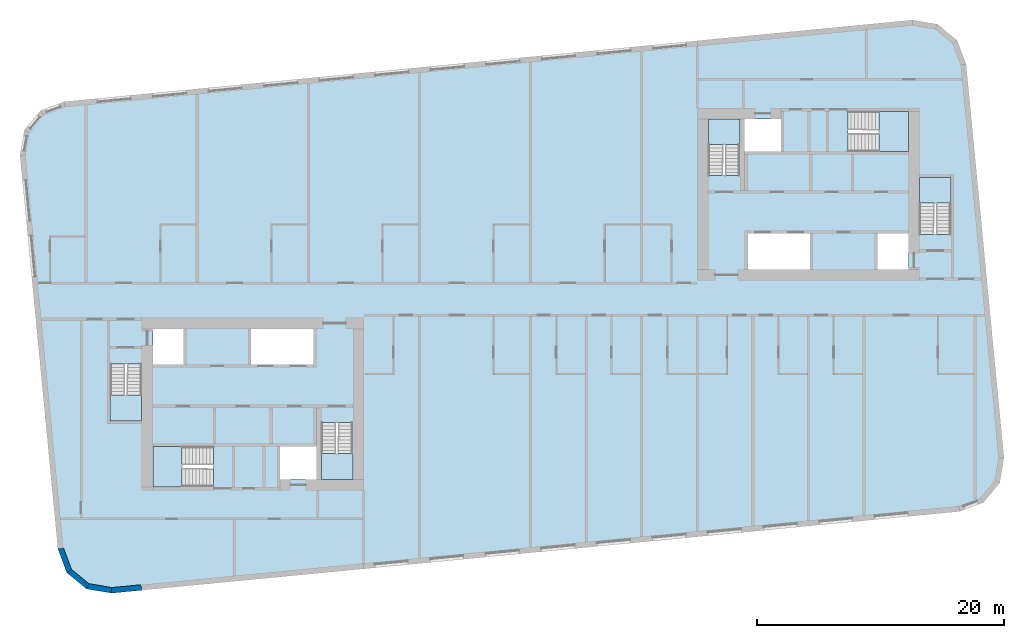
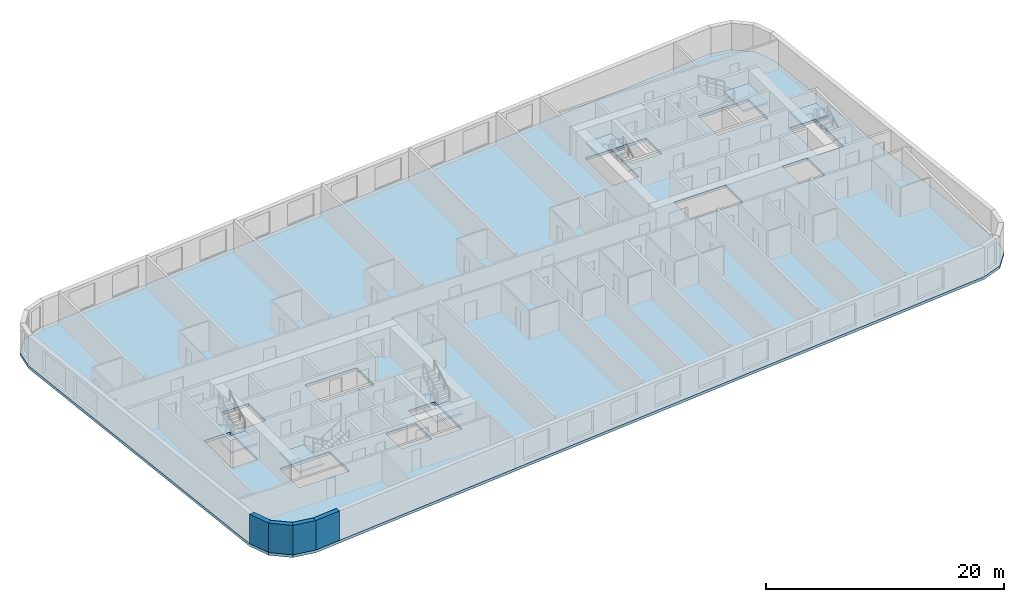
# One storey, part 1 of 11: 7 slabs, 4 walls, 6 elements without a shape of their own.
"""IFC4 building model written with IfcOpenShell, lengths in metres."""

from ifc_helpers import new_model, si_unit, direction, frame, frame_2d, origin, place, context, subcontext, project, spatial, polyline, rectangle, outline, extrude, material, layer, layer_set, type_object, element, aggregate, save


model = new_model("IFC4")

# Units and contexts
model_context = context("Model", 3, precision=1e-05, world=origin(), true_north=direction((0.0, 1.0)))
body_context = subcontext(model_context, "Body", "Model", "MODEL_VIEW")
ifc_project = project(units=[si_unit("LENGTHUNIT", "METRE"), si_unit("AREAUNIT", "SQUARE_METRE"), si_unit("VOLUMEUNIT", "CUBIC_METRE"), si_unit("PLANEANGLEUNIT", "RADIAN"), si_unit("MASSUNIT", "GRAM", prefix="KILO")], contexts=[model_context])

# Site, building, storey
site_placement = place(None, origin())
site = spatial("IfcSite", under=ifc_project, at=site_placement, CompositionType="ELEMENT")
building_placement = place(site_placement, origin())
building = spatial("IfcBuilding", under=site, at=building_placement, Name="Kajstack Hotel Tower", CompositionType="ELEMENT")
storey_placement = place(building_placement, frame((0.0, 0.0, 281.699951171875)))
storey = spatial("IfcBuildingStorey", under=building, at=storey_placement, Name="L70", CompositionType="ELEMENT", Elevation=281.699951171875)

# Slab
ifc_material_1 = material(Name="Concrete C40/50", Category="concrete")
ifc_layer_1 = layer(ifc_material_1, 0.280029296875)
ifc_layer_set_1 = layer_set([ifc_layer_1], Name="RC slab 280 C40/50 guest")
slab_type_1 = type_object("IfcSlabType", Name="RC slab 280 C40/50 guest", PredefinedType="FLOOR", material=ifc_layer_set_1)
slab_1_placement = place(storey_placement, frame((0.0, 0.0, -0.280029296875)))
element("IfcSlab", 1, at=slab_1_placement, inside=storey, type_object=slab_type_1, Name="S-slab-L70", PredefinedType="FLOOR", context=body_context, shape_type="SweptSolid", body=[
    extrude(outline(polyline([(-41.356201171875, 11.63623046875), (-38.289306640625, -20.21630859375), (-37.564208984375, -22.15576171875), (-35.96630859375, -23.472900390625), (-33.92431640625, -23.814697265625), (34.758056640625, -17.201171875), (36.697509765625, -16.47607421875), (38.014404296875, -14.87841796875), (38.356201171875, -12.836181640625), (35.289306640625, 19.016357421875), (34.564208984375, 20.955810546875), (32.96630859375, 22.27294921875), (30.92431640625, 22.614501953125), (-37.758056640625, 16.001220703125), (-39.697509765625, 15.276123046875), (-41.014404296875, 13.678466796875), (-41.356201171875, 11.63623046875)]), holes=[polyline([(-22.64990234375, -5.300048828125), (-22.64990234375, -2.39990234375), (-17.60009765625, -2.39990234375), (-17.60009765625, -5.300048828125), (-22.64990234375, -5.300048828125)]), polyline([(-20.300048828125, -14.60009765625), (-17.35009765625, -14.60009765625), (-17.35009765625, -11.949951171875), (-20.300048828125, -11.949951171875), (-20.300048828125, -14.60009765625)]), polyline([(-30.60009765625, -5.300048828125), (-28.10009765625, -5.300048828125), (-28.10009765625, -2.39990234375), (-30.60009765625, -2.39990234375), (-30.60009765625, -5.300048828125)]), polyline([(17.60009765625, 2.39990234375), (17.60009765625, 5.300048828125), (22.64990234375, 5.300048828125), (22.64990234375, 2.39990234375), (17.60009765625, 2.39990234375)]), polyline([(20.300048828125, 14.60009765625), (17.35009765625, 14.60009765625), (17.35009765625, 11.949951171875), (20.300048828125, 11.949951171875), (20.300048828125, 14.60009765625)]), polyline([(30.60009765625, 5.300048828125), (28.10009765625, 5.300048828125), (28.10009765625, 2.39990234375), (30.60009765625, 2.39990234375), (30.60009765625, 5.300048828125)]), polyline([(-34.050048828125, -9.85009765625), (-31.5, -9.85009765625), (-31.5, -5.25), (-34.050048828125, -5.25), (-34.050048828125, -9.85009765625)]), polyline([(-16.949951171875, -14.60009765625), (-14.39990234375, -14.60009765625), (-14.39990234375, -10.0), (-16.949951171875, -10.0), (-16.949951171875, -14.60009765625)]), polyline([(-30.60009765625, -15.199951171875), (-25.699951171875, -15.199951171875), (-25.699951171875, -11.949951171875), (-30.60009765625, -11.949951171875), (-30.60009765625, -15.199951171875)]), polyline([(34.050048828125, 9.85009765625), (31.5, 9.85009765625), (31.5, 5.25), (34.050048828125, 5.25), (34.050048828125, 9.85009765625)]), polyline([(16.949951171875, 14.60009765625), (14.39990234375, 14.60009765625), (14.39990234375, 10.0), (16.949951171875, 10.0), (16.949951171875, 14.60009765625)]), polyline([(30.60009765625, 15.199951171875), (25.699951171875, 15.199951171875), (25.699951171875, 11.949951171875), (30.60009765625, 11.949951171875), (30.60009765625, 15.199951171875)])]), origin(), (0.0, 0.0, 1.0), 0.280029296875),
])

# Stair, slab
stair_type_1 = type_object("IfcStairType", Name="Exit stair 1200", PredefinedType="HALF_TURN_STAIR", material=ifc_material_1)
stair_1_placement = place(storey_placement, origin())
stair_1 = element("IfcStair", 2, at=stair_1_placement, inside=storey, type_object=stair_type_1, Name="L70 stair W1", PredefinedType="HALF_TURN_STAIR")
ifc_layer_2 = layer(ifc_material_1, 0.199951171875)
ifc_layer_set_2 = layer_set([ifc_layer_2], Name="Stair landing 200")
slab_type_2 = type_object("IfcSlabType", Name="Stair landing 200", PredefinedType="LANDING", material=ifc_layer_set_2)
slab_2_placement = place(storey_placement, frame((0.0, 0.0, 1.449951171875)))
slab_2 = element("IfcSlab", 3, at=slab_2_placement, type_object=slab_type_2, Name="W1 landing 1", PredefinedType="LANDING", context=body_context, shape_type="SweptSolid", body=[
    extrude(outline(polyline([(-34.050048828125, -7.77001953125), (-34.050048828125, -9.85009765625), (-31.5, -9.85009765625), (-31.5, -7.77001953125), (-34.050048828125, -7.77001953125)])), origin(), (0.0, 0.0, 1.0), 0.2001953125),
])
aggregate(stair_1, [slab_2])

stair_2_placement = place(storey_placement, origin())
stair_2 = element("IfcStair", 4, at=stair_2_placement, inside=storey, type_object=stair_type_1, Name="L70 stair W2", PredefinedType="HALF_TURN_STAIR")
slab_3_placement = place(storey_placement, frame((0.0, 0.0, 1.449951171875)))
slab_3 = element("IfcSlab", 5, at=slab_3_placement, type_object=slab_type_2, Name="W2 landing 1", PredefinedType="LANDING", context=body_context, shape_type="SweptSolid", body=[
    extrude(outline(polyline([(-16.949951171875, -12.52001953125), (-16.949951171875, -14.60009765625), (-14.39990234375, -14.60009765625), (-14.39990234375, -12.52001953125), (-16.949951171875, -12.52001953125)])), origin(), (0.0, 0.0, 1.0), 0.2001953125),
])
aggregate(stair_2, [slab_3])

stair_type_2 = type_object("IfcStairType", Name="Exit stair 1500", PredefinedType="HALF_TURN_STAIR", material=ifc_material_1)
stair_3_placement = place(storey_placement, origin())
stair_3 = element("IfcStair", 6, at=stair_3_placement, inside=storey, type_object=stair_type_2, Name="L70 stair W3", PredefinedType="HALF_TURN_STAIR")
slab_4_placement = place(storey_placement, frame((0.0, 0.0, 1.449951171875)))
slab_4 = element("IfcSlab", 7, at=slab_4_placement, type_object=slab_type_2, Name="W3 landing 1", PredefinedType="LANDING", context=body_context, shape_type="SweptSolid", body=[
    extrude(outline(polyline([(-28.219970703125, -11.949951171875), (-30.60009765625, -11.949951171875), (-30.60009765625, -15.199951171875), (-28.219970703125, -15.199951171875), (-28.219970703125, -11.949951171875)])), origin(), (0.0, 0.0, 1.0), 0.2001953125),
])
aggregate(stair_3, [slab_4])

stair_4_placement = place(storey_placement, origin())
stair_4 = element("IfcStair", 8, at=stair_4_placement, inside=storey, type_object=stair_type_1, Name="L70 stair E1", PredefinedType="HALF_TURN_STAIR")
slab_5_placement = place(storey_placement, frame((0.0, 0.0, 1.449951171875)))
slab_5 = element("IfcSlab", 9, at=slab_5_placement, type_object=slab_type_2, Name="E1 landing 1", PredefinedType="LANDING", context=body_context, shape_type="SweptSolid", body=[
    extrude(outline(polyline([(34.050048828125, 7.77001953125), (34.050048828125, 9.85009765625), (31.5, 9.85009765625), (31.5, 7.77001953125), (34.050048828125, 7.77001953125)])), origin(), (0.0, 0.0, 1.0), 0.2001953125),
])
aggregate(stair_4, [slab_5])

stair_5_placement = place(storey_placement, origin())
stair_5 = element("IfcStair", 10, at=stair_5_placement, inside=storey, type_object=stair_type_1, Name="L70 stair E2", PredefinedType="HALF_TURN_STAIR")
slab_6_placement = place(storey_placement, frame((0.0, 0.0, 1.449951171875)))
slab_6 = element("IfcSlab", 11, at=slab_6_placement, type_object=slab_type_2, Name="E2 landing 1", PredefinedType="LANDING", context=body_context, shape_type="SweptSolid", body=[
    extrude(outline(polyline([(16.949951171875, 12.52001953125), (16.949951171875, 14.60009765625), (14.39990234375, 14.60009765625), (14.39990234375, 12.52001953125), (16.949951171875, 12.52001953125)])), origin(), (0.0, 0.0, 1.0), 0.2001953125),
])
aggregate(stair_5, [slab_6])

stair_6_placement = place(storey_placement, origin())
stair_6 = element("IfcStair", 12, at=stair_6_placement, inside=storey, type_object=stair_type_2, Name="L70 stair E3", PredefinedType="HALF_TURN_STAIR")
slab_7_placement = place(storey_placement, frame((0.0, 0.0, 1.449951171875)))
slab_7 = element("IfcSlab", 13, at=slab_7_placement, type_object=slab_type_2, Name="E3 landing 1", PredefinedType="LANDING", context=body_context, shape_type="SweptSolid", body=[
    extrude(outline(polyline([(28.219970703125, 11.949951171875), (30.60009765625, 11.949951171875), (30.60009765625, 15.199951171875), (28.219970703125, 15.199951171875), (28.219970703125, 11.949951171875)])), origin(), (0.0, 0.0, 1.0), 0.2001953125),
])
aggregate(stair_6, [slab_7])

# Walls
ifc_material_2 = material(Name="Terracotta-faced brick masonry", Category="masonry")
ifc_layer_3 = layer(ifc_material_2, 0.449951171875)
ifc_layer_set_3 = layer_set([ifc_layer_3], Name="EW-TERRA")
wall_type = type_object("IfcWallType", Name="EW-TERRA", PredefinedType="SOLIDWALL", material=ifc_layer_set_3)
wall_1_placement = place(storey_placement, frame((-38.078369140625, -20.1376953125, 0.0), z_axis=(0.0, 0.0, 1.0), x_axis=(0.350231589928, -0.936663137642, 0.0)))
element("IfcWall", 14, at=wall_1_placement, inside=storey, type_object=wall_type, Name="E-wall-L70-01-00", PredefinedType="SOLIDWALL", context=body_context, shape_type="SweptSolid", body=[
    extrude(outline(polyline([(0.0, -0.22509765625), (2.0703125, -0.22509765625), (1.949951171875, 0.224853515625), (0.120361328125, 0.224853515625), (0.0, -0.22509765625)])), origin(), (0.0, 0.0, 1.0), 3.02001953125),
])
wall_2_placement = place(storey_placement, frame((-37.4208984375, -21.982177734375, 0.0), z_axis=(0.0, 0.0, 1.0), x_axis=(0.771593176315, -0.636116318187, 0.0)))
element("IfcWall", 15, at=wall_2_placement, inside=storey, type_object=wall_type, Name="E-wall-L70-02-00", PredefinedType="SOLIDWALL", context=body_context, shape_type="SweptSolid", body=[
    extrude(outline(polyline([(0.0, -0.22509765625), (2.070556640625, -0.22509765625), (1.949951171875, 0.22509765625), (0.12060546875, 0.224853515625), (0.0, -0.22509765625)])), origin(), (0.0, 0.0, 1.0), 3.02001953125),
])
wall_3_placement = place(storey_placement, frame((-35.92919921875, -23.2509765625, 0.0), z_axis=(0.0, 0.0, 1.0), x_axis=(0.986278951104, -0.165087342366, 0.0)))
element("IfcWall", 16, at=wall_3_placement, inside=storey, type_object=wall_type, Name="E-wall-L70-03-00", PredefinedType="SOLIDWALL", context=body_context, shape_type="SweptSolid", body=[
    extrude(outline(polyline([(0.0, -0.22509765625), (2.070556640625, -0.224853515625), (1.949951171875, 0.22509765625), (0.12060546875, 0.22509765625), (0.0, -0.22509765625)])), origin(), (0.0, 0.0, 1.0), 3.02001953125),
])
wall_4_placement = place(storey_placement, frame((-33.94580078125, -23.590576171875, 0.0), z_axis=(0.0, 0.0, 1.0), x_axis=(0.995397635156, 0.095830829729, 0.0)))
element("IfcWall", 17, at=wall_4_placement, inside=storey, type_object=wall_type, Name="E-wall-L70-04-00", PredefinedType="SOLIDWALL", context=body_context, shape_type="SweptSolid", body=[
    extrude(rectangle(XDim=2.435546875, YDim=0.449951171875, at=frame_2d((1.2177734375, 0.0))), origin(), (0.0, 0.0, 1.0), 3.02001953125),
])

save(model, "model.ifc")
